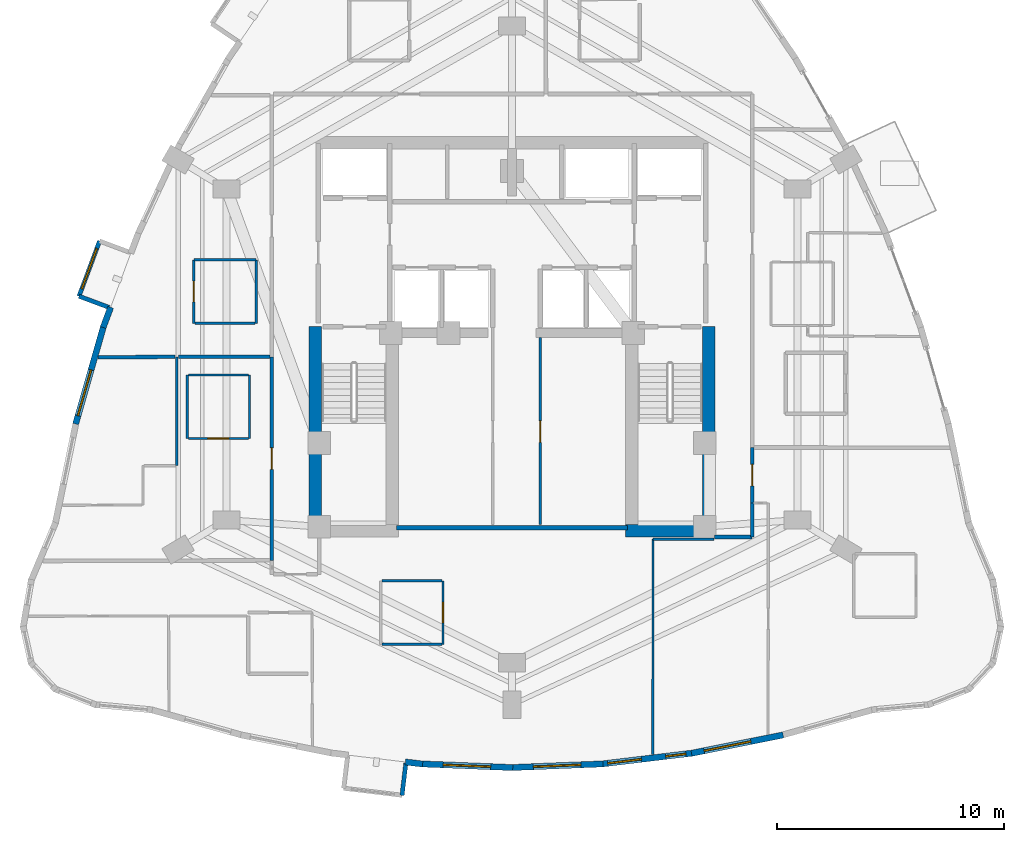
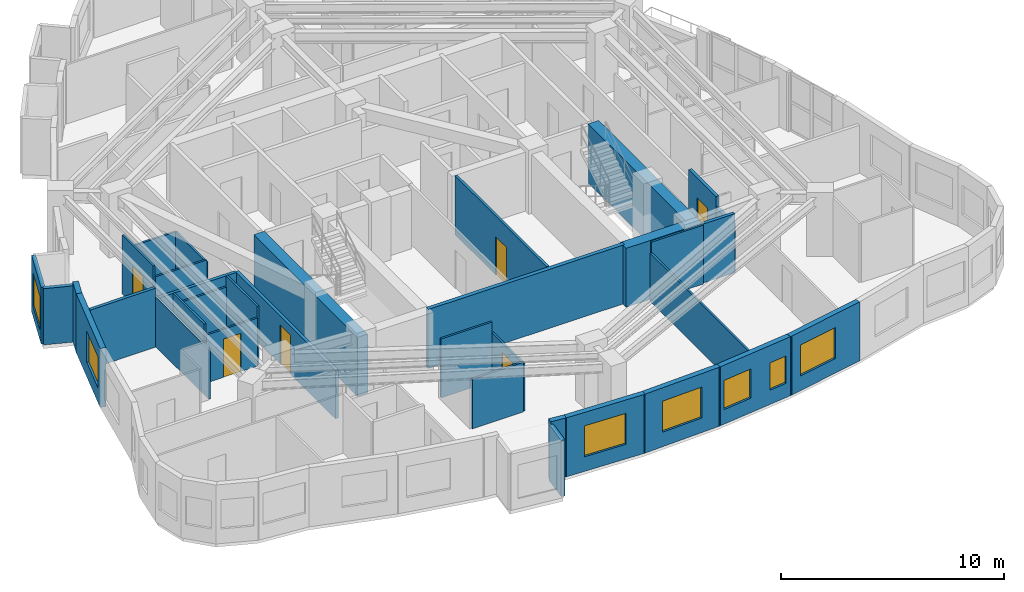
# One storey, part 9 of 14: 35 walls, 7 windows, 6 doors, 13 openings.
"""IFC4 building model written with IfcOpenShell, lengths in metres."""

from ifc_helpers import new_model, si_unit, direction, frame, frame_2d, origin, place, context, subcontext, project, spatial, rectangle, extrude, material, layer, layer_set, type_object, element, fill, save


model = new_model("IFC4")

# Units and contexts
model_context = context("Model", 3, precision=1e-05, world=origin(), true_north=direction((0.0, 1.0)))
body_context = subcontext(model_context, "Body", "Model", "MODEL_VIEW")
ifc_project = project(units=[si_unit("LENGTHUNIT", "METRE"), si_unit("AREAUNIT", "SQUARE_METRE"), si_unit("VOLUMEUNIT", "CUBIC_METRE"), si_unit("PLANEANGLEUNIT", "RADIAN"), si_unit("MASSUNIT", "GRAM", prefix="KILO")], contexts=[model_context])

# Site, building, storey
site_placement = place(None, origin())
site = spatial("IfcSite", under=ifc_project, at=site_placement, CompositionType="ELEMENT")
building_placement = place(site_placement, origin())
building = spatial("IfcBuilding", under=site, at=building_placement, Name="Miruveldt Soraemaru", CompositionType="ELEMENT")
storey_placement = place(building_placement, frame((0.0, 0.0, 142.39990234375)))
storey = spatial("IfcBuildingStorey", under=building, at=storey_placement, Name="L39", CompositionType="ELEMENT", Elevation=142.39990234375)

# Wall
ifc_material_1 = material(Name="White powder-coated aluminium EN AW-6060 T6", Category="aluminium")
ifc_layer_1 = layer(ifc_material_1, 0.18994140625, Name="White powder-coated aluminium EN AW-6060 T6", Category="aluminium")
ifc_layer_set_1 = layer_set([ifc_layer_1], Name="White powder-coated aluminium EN AW-6060 T6")
wall_type_1 = type_object("IfcWallType", Name="WALL-BAY-ALU190", PredefinedType="SOLIDWALL", material=ifc_layer_set_1)
wall_1_placement = place(storey_placement, frame((24.889404296875, 45.67529296875, 0.0), z_axis=(0.0, 0.0, 1.0), x_axis=(0.937129361406, -0.348982177182, 0.0)))
element("IfcWall", 1, at=wall_1_placement, inside=storey, type_object=wall_type_1, Name="L39 Bay Window Side Cheek 1R", PredefinedType="SOLIDWALL", context=body_context, shape_type="SweptSolid", body=[
    extrude(rectangle(XDim=1.425048828125, YDim=0.18994140625, at=frame_2d((0.71240234375, 0.0))), origin(), (0.0, 0.0, 1.0), 3.085205078125),
])

# Wall, opening, window
wall_2_placement = place(storey_placement, frame((25.796875, 48.11181640625, 0.0), z_axis=(0.0, 0.0, 1.0), x_axis=(-0.349023333144, -0.937114034107, 0.0)))
wall_2 = element("IfcWall", 2, at=wall_2_placement, inside=storey, type_object=wall_type_1, Name="L39 Bay Window Front Frame 1", PredefinedType="SOLIDWALL", context=body_context, shape_type="SweptSolid", body=[
    extrude(rectangle(XDim=2.60009765625, YDim=0.18994140625, at=frame_2d((1.300048828125, 0.0))), origin(), (0.0, 0.0, 1.0), 3.085205078125),
])
opening_1_placement = place(wall_2_placement, frame((0.35009765625, 0.0, 0.550048828125)))
opening_1 = element("IfcOpeningElement", 3, at=opening_1_placement, cuts=wall_2, Name="Opening WN-6", PredefinedType="OPENING", context=body_context, shape_type="SweptSolid", body=[
    extrude(rectangle(XDim=1.89990234375, YDim=1.85009765625, at=frame_2d((0.949951171875, 0.925048828125))), frame((0.0, 0.10498046875, 0.0), z_axis=(0.0, -1.0, 0.0), x_axis=(1.0, 0.0, 0.0)), (0.0, 0.0, 1.0), 0.2099609375),
])
ifc_material_2 = material(Name="Triple low-e insulated glazing", Category="glass")
window_type_1 = type_object("IfcWindowType", Name="WIN-BAYW-1900x1850", PartitioningType="SINGLE_PANEL", PredefinedType="WINDOW", material=ifc_material_2)
window_1_placement = place(opening_1_placement, origin())
window_1 = element("IfcWindow", 4, at=window_1_placement, inside=storey, type_object=window_type_1, Name="L39 Projecting Bay Window 1", OverallHeight=1.85009765625, OverallWidth=1.89990234375, PartitioningType="SINGLE_PANEL", PredefinedType="WINDOW", context=body_context, shape_type="SweptSolid", body=[
    extrude(rectangle(XDim=1.89990234375, YDim=1.85009765625, at=frame_2d((0.949951171875, 0.925048828125))), frame((0.0, 0.030029296875, 0.0), z_axis=(0.0, -1.0, 0.0), x_axis=(1.0, 0.0, 0.0)), (0.0, 0.0, 1.0), 0.06005859375),
])
fill(opening_1, window_1)

# Walls
wall_3_placement = place(storey_placement, frame((39.147216796875, 23.64599609375, 0.0), z_axis=(0.0, 0.0, 1.0), x_axis=(0.119077659317, 0.992884943511, 0.0)))
element("IfcWall", 5, at=wall_3_placement, inside=storey, type_object=wall_type_1, Name="L39 Bay Window Side Cheek 2R", PredefinedType="SOLIDWALL", context=body_context, shape_type="SweptSolid", body=[
    extrude(rectangle(XDim=1.425048828125, YDim=0.18994140625, at=frame_2d((0.71240234375, 0.0))), origin(), (0.0, 0.0, 1.0), 3.085205078125),
])
ifc_material_3 = material(Name="Concrete C70/85 (70 MPa)", Category="concrete")
ifc_layer_2 = layer(ifc_material_3, 0.550048828125, Name="Concrete C70/85 (70 MPa)", Category="concrete")
ifc_layer_set_2 = layer_set([ifc_layer_2], Name="Concrete C70/85 (70 MPa)")
wall_type_2 = type_object("IfcWallType", Name="WALL-CW-550", PredefinedType="SHEAR", material=ifc_layer_set_2)
wall_4_placement = place(storey_placement, frame((49.0, 35.324951171875, 0.0), z_axis=(0.0, 0.0, 1.0), x_axis=(1.0, 0.0, 0.0)))
element("IfcWall", 6, at=wall_4_placement, inside=storey, type_object=wall_type_2, Name="L39 Central Core Shear Wall S2", PredefinedType="SHEAR", context=body_context, shape_type="SweptSolid", body=[
    extrude(rectangle(XDim=3.949951171875, YDim=0.550048828125, at=frame_2d((1.97509765625, 0.0))), origin(), (0.0, 0.0, 1.0), 3.235107421875),
])
for number, where, z_axis, x_axis, name in (
    (7, (35.324951171875, 35.050048828125, 0.0), (0.0, 0.0, 1.0), (0.0, 1.0, 0.0), "L39 Central Core Shear Wall W1"),
    (8, (52.675048828125, 35.050048828125, 0.0), (0.0, 0.0, 1.0), (0.0, 1.0, 0.0), "L39 Central Core Shear Wall E1"),
):
    element("IfcWall", number, at=place(storey_placement, frame(where, z_axis=z_axis, x_axis=x_axis)), inside=storey, type_object=wall_type_2, Name=name, PredefinedType="SHEAR", context=body_context, shape_type="SweptSolid", body=[
        extrude(rectangle(XDim=9.300048828125, YDim=0.550048828125, at=frame_2d((4.64990234375, 0.0))), origin(), (0.0, 0.0, 1.0), 3.235107421875),
    ])
ifc_material_4 = material(Name="Precast concrete C45/55 (45 MPa)", Category="concrete")
ifc_layer_3 = layer(ifc_material_4, 0.27001953125, Name="Precast concrete C45/55 (45 MPa)", Category="concrete")
ifc_layer_set_3 = layer_set([ifc_layer_3], Name="Precast concrete C45/55 (45 MPa)")
wall_type_3 = type_object("IfcWallType", Name="WALL-EXT-PC270", PredefinedType="SOLIDWALL", material=ifc_layer_set_3)
wall_5_placement = place(storey_placement, frame((26.286865234375, 45.186767578125, 0.0), z_axis=(0.0, 0.0, 1.0), x_axis=(-0.349069248763, -0.937096931789, 0.0)))
element("IfcWall", 9, at=wall_5_placement, inside=storey, type_object=wall_type_3, Name="L39 Precast Pier Wall 12B", PredefinedType="SOLIDWALL", context=body_context, shape_type="SweptSolid", body=[
    extrude(rectangle(XDim=0.951171875, YDim=0.27001953125, at=frame_2d((0.4755859375, 0.0))), origin(), (0.0, 0.0, 1.0), 3.235107421875),
])

# Wall, opening, window
wall_6_placement = place(storey_placement, frame((25.9765625, 44.362060546875, 0.0), z_axis=(0.0, 0.0, 1.0), x_axis=(-0.274972075565, -0.961452212884, 0.0)))
wall_6 = element("IfcWall", 10, at=wall_6_placement, inside=storey, type_object=wall_type_3, Name="L39 Precast Concrete Facade Wall 13", PredefinedType="SOLIDWALL", context=body_context, shape_type="SweptSolid", body=[
    extrude(rectangle(XDim=4.4970703125, YDim=0.27001953125, at=frame_2d((2.24853515625, 0.0))), origin(), (0.0, 0.0, 1.0), 3.235107421875),
])
opening_2_placement = place(wall_6_placement, frame((2.014892578125, 0.0, 0.800048828125)))
opening_2 = element("IfcOpeningElement", 11, at=opening_2_placement, cuts=wall_6, Name="Opening WN-1", PredefinedType="OPENING", context=body_context, shape_type="SweptSolid", body=[
    extrude(rectangle(XDim=2.10009765625, YDim=1.699951171875, at=frame_2d((1.050048828125, 0.85009765625))), frame((0.0, 0.14501953125, 0.0), z_axis=(0.0, -1.0, 0.0), x_axis=(1.0, 0.0, 0.0)), (0.0, 0.0, 1.0), 0.2900390625),
])
window_type_2 = type_object("IfcWindowType", Name="WIN-PUNCH-2100x1700", PartitioningType="SINGLE_PANEL", PredefinedType="WINDOW", material=ifc_material_2)
window_2_placement = place(opening_2_placement, origin())
window_2 = element("IfcWindow", 12, at=window_2_placement, inside=storey, type_object=window_type_2, Name="L39 Punched Triple-Glazed Window 13.1", OverallHeight=1.699951171875, OverallWidth=2.10009765625, PartitioningType="SINGLE_PANEL", PredefinedType="WINDOW", context=body_context, shape_type="SweptSolid", body=[
    extrude(rectangle(XDim=2.10009765625, YDim=1.699951171875, at=frame_2d((1.050048828125, 0.85009765625))), frame((0.0, 0.030029296875, 0.0), z_axis=(0.0, -1.0, 0.0), x_axis=(1.0, 0.0, 0.0)), (0.0, 0.0, 1.0), 0.06005859375),
])
fill(opening_2, window_2)

# Wall
wall_7_placement = place(storey_placement, frame((39.293701171875, 25.119140625, 0.0), z_axis=(0.0, 0.0, 1.0), x_axis=(0.992876838487, -0.119145220618, 0.0)))
element("IfcWall", 13, at=wall_7_placement, inside=storey, type_object=wall_type_3, Name="L39 Precast Pier Wall 23B", PredefinedType="SOLIDWALL", context=body_context, shape_type="SweptSolid", body=[
    extrude(rectangle(XDim=0.768310546875, YDim=0.27001953125, at=frame_2d((0.38427734375, 0.0))), origin(), (0.0, 0.0, 1.0), 3.235107421875),
])

# Wall, opening, window
wall_8_placement = place(storey_placement, frame((39.98681640625, 25.033203125, 0.0), z_axis=(0.0, 0.0, 1.0), x_axis=(0.999199128647, -0.040013764032, 0.0)))
wall_8 = element("IfcWall", 14, at=wall_8_placement, inside=storey, type_object=wall_type_3, Name="L39 Precast Concrete Facade Wall 24", PredefinedType="SOLIDWALL", context=body_context, shape_type="SweptSolid", body=[
    extrude(rectangle(XDim=4.05126953125, YDim=0.27001953125, at=frame_2d((2.025634765625, 0.0))), origin(), (0.0, 0.0, 1.0), 3.235107421875),
])
opening_3_placement = place(wall_8_placement, frame((0.97607421875, 0.0, 0.800048828125)))
opening_3 = element("IfcOpeningElement", 15, at=opening_3_placement, cuts=wall_8, Name="Opening WN-1", PredefinedType="OPENING", context=body_context, shape_type="SweptSolid", body=[
    extrude(rectangle(XDim=2.10009765625, YDim=1.699951171875, at=frame_2d((1.050048828125, 0.85009765625))), frame((0.0, 0.14501953125, 0.0), z_axis=(0.0, -1.0, 0.0), x_axis=(1.0, 0.0, 0.0)), (0.0, 0.0, 1.0), 0.2900390625),
])
window_3_placement = place(opening_3_placement, origin())
window_3 = element("IfcWindow", 16, at=window_3_placement, inside=storey, type_object=window_type_2, Name="L39 Punched Triple-Glazed Window 24.1", OverallHeight=1.699951171875, OverallWidth=2.10009765625, PartitioningType="SINGLE_PANEL", PredefinedType="WINDOW", context=body_context, shape_type="SweptSolid", body=[
    extrude(rectangle(XDim=2.10009765625, YDim=1.699951171875, at=frame_2d((1.050048828125, 0.85009765625))), frame((0.0, 0.030029296875, 0.0), z_axis=(0.0, -1.0, 0.0), x_axis=(1.0, 0.0, 0.0)), (0.0, 0.0, 1.0), 0.06005859375),
])
fill(opening_3, window_3)

wall_9_placement = place(storey_placement, frame((43.965087890625, 24.87109375, 0.0), z_axis=(0.0, 0.0, 1.0), x_axis=(0.999199128647, 0.040013764032, 0.0)))
wall_9 = element("IfcWall", 17, at=wall_9_placement, inside=storey, type_object=wall_type_3, Name="L39 Precast Concrete Facade Wall 25", PredefinedType="SOLIDWALL", context=body_context, shape_type="SweptSolid", body=[
    extrude(rectangle(XDim=4.05126953125, YDim=0.27001953125, at=frame_2d((2.025634765625, 0.0))), origin(), (0.0, 0.0, 1.0), 3.235107421875),
])
opening_4_placement = place(wall_9_placement, frame((0.97607421875, 0.0, 0.800048828125)))
opening_4 = element("IfcOpeningElement", 18, at=opening_4_placement, cuts=wall_9, Name="Opening WN-1", PredefinedType="OPENING", context=body_context, shape_type="SweptSolid", body=[
    extrude(rectangle(XDim=2.10009765625, YDim=1.699951171875, at=frame_2d((1.050048828125, 0.85009765625))), frame((0.0, 0.14501953125, 0.0), z_axis=(0.0, -1.0, 0.0), x_axis=(1.0, 0.0, 0.0)), (0.0, 0.0, 1.0), 0.2900390625),
])
window_4_placement = place(opening_4_placement, origin())
window_4 = element("IfcWindow", 19, at=window_4_placement, inside=storey, type_object=window_type_2, Name="L39 Punched Triple-Glazed Window 25.1", OverallHeight=1.699951171875, OverallWidth=2.10009765625, PartitioningType="SINGLE_PANEL", PredefinedType="WINDOW", context=body_context, shape_type="SweptSolid", body=[
    extrude(rectangle(XDim=2.10009765625, YDim=1.699951171875, at=frame_2d((1.050048828125, 0.85009765625))), frame((0.0, 0.030029296875, 0.0), z_axis=(0.0, -1.0, 0.0), x_axis=(1.0, 0.0, 0.0)), (0.0, 0.0, 1.0), 0.06005859375),
])
fill(opening_4, window_4)

# Wall, openings, windows
wall_10_placement = place(storey_placement, frame((47.943359375, 25.027587890625, 0.0), z_axis=(0.0, 0.0, 1.0), x_axis=(0.992880238653, 0.119116882483, 0.0)))
wall_10 = element("IfcWall", 20, at=wall_10_placement, inside=storey, type_object=wall_type_3, Name="L39 Precast Concrete Facade Wall 26", PredefinedType="SOLIDWALL", context=body_context, shape_type="SweptSolid", body=[
    extrude(rectangle(XDim=4.07666015625, YDim=0.27001953125, at=frame_2d((2.038330078125, 0.0))), origin(), (0.0, 0.0, 1.0), 3.235107421875),
])
opening_5_placement = place(wall_10_placement, frame((0.282958984375, 0.0, 0.800048828125)))
opening_5 = element("IfcOpeningElement", 21, at=opening_5_placement, cuts=wall_10, Name="Opening WN-3", PredefinedType="OPENING", context=body_context, shape_type="SweptSolid", body=[
    extrude(rectangle(XDim=1.5, YDim=1.60009765625, at=frame_2d((0.75, 0.800048828125))), frame((0.0, 0.14501953125, 0.0), z_axis=(0.0, -1.0, 0.0), x_axis=(1.0, 0.0, 0.0)), (0.0, 0.0, 1.0), 0.2900390625),
])
opening_6_placement = place(wall_10_placement, frame((2.861083984375, 0.0, 0.780029296875)))
opening_6 = element("IfcOpeningElement", 22, at=opening_6_placement, cuts=wall_10, Name="Opening WN-7", PredefinedType="OPENING", context=body_context, shape_type="SweptSolid", body=[
    extrude(rectangle(XDim=0.89990234375, YDim=1.5, at=frame_2d((0.449951171875, 0.75))), frame((0.0, 0.14501953125, 0.0), z_axis=(0.0, -1.0, 0.0), x_axis=(1.0, 0.0, 0.0)), (0.0, 0.0, 1.0), 0.2900390625),
])
window_type_3 = type_object("IfcWindowType", Name="WIN-PUNCH-1500x1600", PartitioningType="SINGLE_PANEL", PredefinedType="WINDOW", material=ifc_material_2)
window_5_placement = place(opening_5_placement, origin())
window_5 = element("IfcWindow", 23, at=window_5_placement, inside=storey, type_object=window_type_3, Name="L39 Punched Triple-Glazed Window 26.1", OverallHeight=1.60009765625, OverallWidth=1.5, PartitioningType="SINGLE_PANEL", PredefinedType="WINDOW", context=body_context, shape_type="SweptSolid", body=[
    extrude(rectangle(XDim=1.5, YDim=1.60009765625, at=frame_2d((0.75, 0.800048828125))), frame((0.0, 0.030029296875, 0.0), z_axis=(0.0, -1.0, 0.0), x_axis=(1.0, 0.0, 0.0)), (0.0, 0.0, 1.0), 0.06005859375),
])
fill(opening_5, window_5)
window_type_4 = type_object("IfcWindowType", Name="WIN-PUNCH-900x1500", PartitioningType="SINGLE_PANEL", PredefinedType="WINDOW", material=ifc_material_2)
window_6_placement = place(opening_6_placement, origin())
window_6 = element("IfcWindow", 24, at=window_6_placement, inside=storey, type_object=window_type_4, Name="L39 Punched Triple-Glazed Window 26.2", OverallHeight=1.5, OverallWidth=0.89990234375, PartitioningType="SINGLE_PANEL", PredefinedType="WINDOW", context=body_context, shape_type="SweptSolid", body=[
    extrude(rectangle(XDim=0.89990234375, YDim=1.5, at=frame_2d((0.449951171875, 0.75))), frame((0.0, 0.030029296875, 0.0), z_axis=(0.0, -1.0, 0.0), x_axis=(1.0, 0.0, 0.0)), (0.0, 0.0, 1.0), 0.06005859375),
])
fill(opening_6, window_6)

# Wall, opening, window
wall_11_placement = place(storey_placement, frame((51.921875, 25.502197265625, 0.0), z_axis=(0.0, 0.0, 1.0), x_axis=(0.980582950886, 0.196104758819, 0.0)))
wall_11 = element("IfcWall", 25, at=wall_11_placement, inside=storey, type_object=wall_type_3, Name="L39 Precast Concrete Facade Wall 27", PredefinedType="SOLIDWALL", context=body_context, shape_type="SweptSolid", body=[
    extrude(rectangle(XDim=4.126953125, YDim=0.27001953125, at=frame_2d((2.0634765625, 0.0))), origin(), (0.0, 0.0, 1.0), 3.235107421875),
])
opening_7_placement = place(wall_11_placement, frame((0.56689453125, 0.0, 0.800048828125)))
opening_7 = element("IfcOpeningElement", 26, at=opening_7_placement, cuts=wall_11, Name="Opening WN-1", PredefinedType="OPENING", context=body_context, shape_type="SweptSolid", body=[
    extrude(rectangle(XDim=2.10009765625, YDim=1.699951171875, at=frame_2d((1.050048828125, 0.85009765625))), frame((0.0, 0.14501953125, 0.0), z_axis=(0.0, -1.0, 0.0), x_axis=(1.0, 0.0, 0.0)), (0.0, 0.0, 1.0), 0.2900390625),
])
window_7_placement = place(opening_7_placement, origin())
window_7 = element("IfcWindow", 27, at=window_7_placement, inside=storey, type_object=window_type_2, Name="L39 Punched Triple-Glazed Window 27.1", OverallHeight=1.699951171875, OverallWidth=2.10009765625, PartitioningType="SINGLE_PANEL", PredefinedType="WINDOW", context=body_context, shape_type="SweptSolid", body=[
    extrude(rectangle(XDim=2.10009765625, YDim=1.699951171875, at=frame_2d((1.050048828125, 0.85009765625))), frame((0.0, 0.030029296875, 0.0), z_axis=(0.0, -1.0, 0.0), x_axis=(1.0, 0.0, 0.0)), (0.0, 0.0, 1.0), 0.06005859375),
])
fill(opening_7, window_7)

# Wall, opening, door
ifc_material_5 = material(Name="Gypsum plasterboard lining", Category="gypsum")
ifc_layer_4 = layer(ifc_material_5, 0.10009765625, Name="Gypsum plasterboard lining", Category="gypsum")
ifc_layer_set_4 = layer_set([ifc_layer_4], Name="Gypsum plasterboard lining")
wall_type_4 = type_object("IfcWallType", Name="WALL-INT-P100", PredefinedType="PARTITIONING", material=ifc_layer_set_4)
wall_12_placement = place(storey_placement, frame((40.955078125, 30.31494140625, 0.0), z_axis=(0.0, 0.0, 1.0), x_axis=(0.0, 1.0, 0.0)))
wall_12 = element("IfcWall", 28, at=wall_12_placement, inside=storey, type_object=wall_type_4, Name="L39 Partition Wall 40", PredefinedType="PARTITIONING", context=body_context, shape_type="SweptSolid", body=[
    extrude(rectangle(XDim=2.800048828125, YDim=0.10009765625, at=frame_2d((1.39990234375, 0.0))), origin(), (0.0, 0.0, 1.0), 2.635009765625),
])
opening_8_placement = place(wall_12_placement, frame((0.93994140625, 0.0, 0.0)))
opening_8 = element("IfcOpeningElement", 29, at=opening_8_placement, cuts=wall_12, Name="Opening D3A", PredefinedType="OPENING", context=body_context, shape_type="SweptSolid", body=[
    extrude(rectangle(XDim=0.919921875, YDim=2.10009765625, at=frame_2d((0.4599609375, 1.050048828125))), frame((0.0, 0.06005859375, 0.0), z_axis=(0.0, -1.0, 0.0), x_axis=(1.0, 0.0, 0.0)), (0.0, 0.0, 1.0), 0.1201171875),
])
ifc_material_6 = material(Name="Anodised aluminium EN AW-6063 T6", Category="aluminium")
door_type_1 = type_object("IfcDoorType", Name="DOOR-INT-920", OperationType="NOTDEFINED", PredefinedType="DOOR", material=ifc_material_6)
door_1_placement = place(opening_8_placement, origin())
door_1 = element("IfcDoor", 30, at=door_1_placement, inside=storey, type_object=door_type_1, Name="L39 Unit 3904 KIT Door", OperationType="SINGLE_SWING_LEFT", OverallHeight=2.10009765625, OverallWidth=0.919921875, PredefinedType="DOOR", context=body_context, shape_type="SweptSolid", body=[
    extrude(rectangle(XDim=0.919921875, YDim=2.10009765625, at=frame_2d((0.4599609375, 1.050048828125))), frame((0.0, 0.02490234375, 0.0), z_axis=(0.0, -1.0, 0.0), x_axis=(1.0, 0.0, 0.0)), (0.0, 0.0, 1.0), 0.050048828125),
])
fill(opening_8, door_1)

wall_13_placement = place(storey_placement, frame((29.9599609375, 47.281005859375, 0.0), z_axis=(0.0, 0.0, 1.0), x_axis=(0.0, -1.0, 0.0)))
wall_13 = element("IfcWall", 31, at=wall_13_placement, inside=storey, type_object=wall_type_4, Name="L39 Partition Wall 35", PredefinedType="PARTITIONING", context=body_context, shape_type="SweptSolid", body=[
    extrude(rectangle(XDim=2.800048828125, YDim=0.10009765625, at=frame_2d((1.39990234375, 0.0))), origin(), (0.0, 0.0, 1.0), 3.235107421875),
])
opening_9_placement = place(wall_13_placement, frame((0.93994140625, 0.0, 0.0)))
opening_9 = element("IfcOpeningElement", 32, at=opening_9_placement, cuts=wall_13, Name="Opening D3A", PredefinedType="OPENING", context=body_context, shape_type="SweptSolid", body=[
    extrude(rectangle(XDim=0.919921875, YDim=2.10009765625, at=frame_2d((0.4599609375, 1.050048828125))), frame((0.0, 0.06005859375, 0.0), z_axis=(0.0, -1.0, 0.0), x_axis=(1.0, 0.0, 0.0)), (0.0, 0.0, 1.0), 0.1201171875),
])
door_2_placement = place(opening_9_placement, origin())
door_2 = element("IfcDoor", 33, at=door_2_placement, inside=storey, type_object=door_type_1, Name="L39 Unit CL03 KIT Door", OperationType="SINGLE_SWING_RIGHT", OverallHeight=2.10009765625, OverallWidth=0.919921875, PredefinedType="DOOR", context=body_context, shape_type="SweptSolid", body=[
    extrude(rectangle(XDim=0.919921875, YDim=2.10009765625, at=frame_2d((0.4599609375, 1.050048828125))), frame((0.0, 0.02490234375, 0.0), z_axis=(0.0, -1.0, 0.0), x_axis=(1.0, 0.0, 0.0)), (0.0, 0.0, 1.0), 0.050048828125),
])
fill(opening_9, door_2)

wall_14_placement = place(storey_placement, frame((29.714111328125, 39.39599609375, 0.0), z_axis=(0.0, 0.0, 1.0), x_axis=(1.0, 0.0, 0.0)))
wall_14 = element("IfcWall", 34, at=wall_14_placement, inside=storey, type_object=wall_type_4, Name="L39 Partition Wall 54", PredefinedType="PARTITIONING", context=body_context, shape_type="SweptSolid", body=[
    extrude(rectangle(XDim=2.64990234375, YDim=0.10009765625, at=frame_2d((1.324951171875, 0.0))), origin(), (0.0, 0.0, 1.0), 2.635009765625),
])
opening_10_placement = place(wall_14_placement, frame((0.864990234375, 0.0, 0.0)))
opening_10 = element("IfcOpeningElement", 35, at=opening_10_placement, cuts=wall_14, Name="Opening D3A", PredefinedType="OPENING", context=body_context, shape_type="SweptSolid", body=[
    extrude(rectangle(XDim=0.919921875, YDim=2.10009765625, at=frame_2d((0.4599609375, 1.050048828125))), frame((0.0, 0.06005859375, 0.0), z_axis=(0.0, -1.0, 0.0), x_axis=(1.0, 0.0, 0.0)), (0.0, 0.0, 1.0), 0.1201171875),
])
door_3_placement = place(opening_10_placement, origin())
door_3 = element("IfcDoor", 36, at=door_3_placement, inside=storey, type_object=door_type_1, Name="L39 Unit 3905 KIT Door", OperationType="SINGLE_SWING_LEFT", OverallHeight=2.10009765625, OverallWidth=0.919921875, PredefinedType="DOOR", context=body_context, shape_type="SweptSolid", body=[
    extrude(rectangle(XDim=0.919921875, YDim=2.10009765625, at=frame_2d((0.4599609375, 1.050048828125))), frame((0.0, 0.02490234375, 0.0), z_axis=(0.0, -1.0, 0.0), x_axis=(1.0, 0.0, 0.0)), (0.0, 0.0, 1.0), 0.050048828125),
])
fill(opening_10, door_3)

# Walls
wall_15_placement = place(storey_placement, frame((50.215087890625, 25.450927734375, 0.0), z_axis=(0.0, 0.0, 1.0), x_axis=(0.000822452688, 0.999999661786, 0.0)))
element("IfcWall", 37, at=wall_15_placement, inside=storey, type_object=wall_type_4, Name="L39 Partition Wall 82", PredefinedType="PARTITIONING", context=body_context, shape_type="SweptSolid", body=[
    extrude(rectangle(XDim=9.4990234375, YDim=0.10009765625, at=frame_2d((4.74951171875, 0.0))), origin(), (0.0, 0.0, 1.0), 2.635009765625),
])
wall_16_placement = place(storey_placement, frame((29.199951171875, 43.0, 0.0), z_axis=(0.0, 0.0, 1.0), x_axis=(0.0, -1.0, 0.0)))
element("IfcWall", 38, at=wall_16_placement, inside=storey, type_object=wall_type_4, Name="L39 Partition Wall 55", PredefinedType="PARTITIONING", context=body_context, shape_type="SweptSolid", body=[
    extrude(rectangle(XDim=4.803955078125, YDim=0.10009765625, at=frame_2d((2.40185546875, 0.0))), origin(), (0.0, 0.0, 1.0), 2.72314453125),
])
wall_17_placement = place(storey_placement, frame((32.7099609375, 44.48095703125, 0.0), z_axis=(0.0, 0.0, 1.0), x_axis=(0.0, 1.0, 0.0)))
element("IfcWall", 39, at=wall_17_placement, inside=storey, type_object=wall_type_4, Name="L39 Partition Wall 34", PredefinedType="PARTITIONING", context=body_context, shape_type="SweptSolid", body=[
    extrude(rectangle(XDim=2.800048828125, YDim=0.10009765625, at=frame_2d((1.39990234375, 0.0))), origin(), (0.0, 0.0, 1.0), 2.47314453125),
])
for number, where, z_axis, x_axis, name in (
    (40, (32.4140625, 39.39599609375, 0.0), (0.0, 0.0, 1.0), (0.0, 1.0, 0.0), "L39 Partition Wall 51"),
    (41, (29.6640625, 42.196044921875, 0.0), (0.0, 0.0, 1.0), (0.0, -1.0, 0.0), "L39 Partition Wall 53"),
):
    element("IfcWall", number, at=place(storey_placement, frame(where, z_axis=z_axis, x_axis=x_axis)), inside=storey, type_object=wall_type_4, Name=name, PredefinedType="PARTITIONING", context=body_context, shape_type="SweptSolid", body=[
        extrude(rectangle(XDim=2.800048828125, YDim=0.10009765625, at=frame_2d((1.39990234375, 0.0))), origin(), (0.0, 0.0, 1.0), 3.235107421875),
    ])
wall_18_placement = place(storey_placement, frame((32.7099609375, 47.281005859375, 0.0), z_axis=(0.0, 0.0, 1.0), x_axis=(-1.0, 0.0, 0.0)))
element("IfcWall", 42, at=wall_18_placement, inside=storey, type_object=wall_type_4, Name="L39 Partition Wall 81", PredefinedType="PARTITIONING", context=body_context, shape_type="SweptSolid", body=[
    extrude(rectangle(XDim=2.75, YDim=0.10009765625, at=frame_2d((1.375, 0.0))), origin(), (0.0, 0.0, 1.0), 2.47314453125),
])
wall_19_placement = place(storey_placement, frame((50.222900390625, 34.949951171875, 0.0), z_axis=(0.0, 0.0, 1.0), x_axis=(1.0, 0.0, 0.0)))
element("IfcWall", 43, at=wall_19_placement, inside=storey, type_object=wall_type_4, Name="L39 Partition Wall 83", PredefinedType="PARTITIONING", context=body_context, shape_type="SweptSolid", body=[
    extrude(rectangle(XDim=2.693115234375, YDim=0.10009765625, at=frame_2d((1.3466796875, 0.0))), origin(), (0.0, 0.0, 1.0), 3.235107421875),
])
wall_20_placement = place(storey_placement, frame((40.905029296875, 33.114990234375, 0.0), z_axis=(0.0, 0.0, 1.0), x_axis=(-1.0, 0.0, 0.0)))
element("IfcWall", 44, at=wall_20_placement, inside=storey, type_object=wall_type_4, Name="L39 Partition Wall 41", PredefinedType="PARTITIONING", context=body_context, shape_type="SweptSolid", body=[
    extrude(rectangle(XDim=2.650146484375, YDim=0.10009765625, at=frame_2d((1.3251953125, 0.0))), origin(), (0.0, 0.0, 1.0), 3.235107421875),
])
wall_21_placement = place(storey_placement, frame((38.2548828125, 30.31494140625, 0.0), z_axis=(0.0, 0.0, 1.0), x_axis=(1.0, 0.0, 0.0)))
element("IfcWall", 45, at=wall_21_placement, inside=storey, type_object=wall_type_4, Name="L39 Partition Wall 43", PredefinedType="PARTITIONING", context=body_context, shape_type="SweptSolid", body=[
    extrude(rectangle(XDim=2.650146484375, YDim=0.10009765625, at=frame_2d((1.3251953125, 0.0))), origin(), (0.0, 0.0, 1.0), 2.72314453125),
])
for number, where, z_axis, x_axis, name in (
    (46, (32.364013671875, 42.196044921875, 0.0), (0.0, 0.0, 1.0), (-1.0, 0.0, 0.0), "L39 Partition Wall 52"),
    (47, (30.010009765625, 44.48095703125, 0.0), (0.0, 0.0, 1.0), (1.0, 0.0, 0.0), "L39 Partition Wall 36"),
):
    element("IfcWall", number, at=place(storey_placement, frame(where, z_axis=z_axis, x_axis=x_axis)), inside=storey, type_object=wall_type_4, Name=name, PredefinedType="PARTITIONING", context=body_context, shape_type="SweptSolid", body=[
        extrude(rectangle(XDim=2.64990234375, YDim=0.10009765625, at=frame_2d((1.324951171875, 0.0))), origin(), (0.0, 0.0, 1.0), 2.635009765625),
    ])

# Wall, opening, door
ifc_layer_5 = layer(ifc_material_5, 0.1201171875, Name="Gypsum plasterboard lining", Category="gypsum")
ifc_layer_set_5 = layer_set([ifc_layer_5], Name="Gypsum plasterboard lining")
wall_type_5 = type_object("IfcWallType", Name="WALL-INT-P120", PredefinedType="PARTITIONING", material=ifc_layer_set_5)
wall_22_placement = place(storey_placement, frame((45.25, 35.60009765625, 0.0), z_axis=(0.0, 0.0, 1.0), x_axis=(0.0, 1.0, 0.0)))
wall_22 = element("IfcWall", 48, at=wall_22_placement, inside=storey, type_object=wall_type_5, Name="L39 Core Compartment Wall SP-EL", PredefinedType="PARTITIONING", context=body_context, shape_type="SweptSolid", body=[
    extrude(rectangle(XDim=8.25, YDim=0.1201171875, at=frame_2d((4.125, 0.0))), origin(), (0.0, 0.0, 1.0), 3.235107421875),
])
opening_11_placement = place(wall_22_placement, frame((3.625, 0.0, 0.0)))
opening_11 = element("IfcOpeningElement", 49, at=opening_11_placement, cuts=wall_22, Name="Opening D2", PredefinedType="OPENING", context=body_context, shape_type="SweptSolid", body=[
    extrude(rectangle(XDim=0.949951171875, YDim=2.10009765625, at=frame_2d((0.47509765625, 1.050048828125))), frame((0.0, 0.070068359375, 0.0), z_axis=(0.0, -1.0, 0.0), x_axis=(1.0, 0.0, 0.0)), (0.0, 0.0, 1.0), 0.14013671875),
])
door_type_2 = type_object("IfcDoorType", Name="DOOR-INT-950", OperationType="NOTDEFINED", PredefinedType="DOOR", material=ifc_material_6)
door_4_placement = place(opening_11_placement, origin())
door_4 = element("IfcDoor", 50, at=door_4_placement, inside=storey, type_object=door_type_2, Name="L39 Fire Door", OperationType="SINGLE_SWING_LEFT", OverallHeight=2.10009765625, OverallWidth=0.949951171875, PredefinedType="DOOR", context=body_context, shape_type="SweptSolid", body=[
    extrude(rectangle(XDim=0.949951171875, YDim=2.10009765625, at=frame_2d((0.47509765625, 1.050048828125))), frame((0.0, 0.02490234375, 0.0), z_axis=(0.0, -1.0, 0.0), x_axis=(1.0, 0.0, 0.0)), (0.0, 0.0, 1.0), 0.050048828125),
])
fill(opening_11, door_4)

ifc_material_7 = material(Name="Concrete C40/50 (40 MPa)", Category="concrete")
ifc_layer_6 = layer(ifc_material_7, 0.159912109375, Name="Concrete C40/50 (40 MPa)", Category="concrete")
ifc_layer_set_6 = layer_set([ifc_layer_6], Name="Concrete C40/50 (40 MPa)")
wall_type_6 = type_object("IfcWallType", Name="WALL-INT-RC160", PredefinedType="SOLIDWALL", material=ifc_layer_set_6)
wall_23_placement = place(storey_placement, frame((33.39990234375, 42.9970703125, 0.0), z_axis=(0.0, 0.0, 1.0), x_axis=(0.0, -1.0, 0.0)))
wall_23 = element("IfcWall", 51, at=wall_23_placement, inside=storey, type_object=wall_type_6, Name="L39 Partition Wall 8", PredefinedType="SOLIDWALL", context=body_context, shape_type="SweptSolid", body=[
    extrude(rectangle(XDim=8.97802734375, YDim=0.159912109375, at=frame_2d((4.489013671875, 0.0))), origin(), (0.0, 0.0, 1.0), 2.635009765625),
])
opening_12_placement = place(wall_23_placement, frame((4.013916015625, 0.0, 0.0)))
opening_12 = element("IfcOpeningElement", 52, at=opening_12_placement, cuts=wall_23, Name="Opening FD2", PredefinedType="OPENING", context=body_context, shape_type="SweptSolid", body=[
    extrude(rectangle(XDim=0.949951171875, YDim=2.14990234375, at=frame_2d((0.47509765625, 1.074951171875))), frame((0.0, 0.08984375, 0.0), z_axis=(0.0, -1.0, 0.0), x_axis=(1.0, 0.0, 0.0)), (0.0, 0.0, 1.0), 0.179931640625),
])
door_type_3 = type_object("IfcDoorType", Name="DOOR-FD2-950", OperationType="NOTDEFINED", PredefinedType="DOOR", material=ifc_material_6)
door_5_placement = place(opening_12_placement, origin())
door_5 = element("IfcDoor", 53, at=door_5_placement, inside=storey, type_object=door_type_3, Name="L39 Unit 3905 Entrance Fire Door", OperationType="SINGLE_SWING_RIGHT", OverallHeight=2.14990234375, OverallWidth=0.949951171875, PredefinedType="DOOR", context=body_context, shape_type="SweptSolid", body=[
    extrude(rectangle(XDim=0.949951171875, YDim=2.14990234375, at=frame_2d((0.47509765625, 1.074951171875))), frame((0.0, 0.02490234375, 0.0), z_axis=(0.0, -1.0, 0.0), x_axis=(1.0, 0.0, 0.0)), (0.0, 0.0, 1.0), 0.050048828125),
])
fill(opening_12, door_5)

wall_24_placement = place(storey_placement, frame((54.60009765625, 36.553955078125, 0.0), z_axis=(0.0, 0.0, 1.0), x_axis=(0.0, 1.0, 0.0)))
wall_24 = element("IfcWall", 54, at=wall_24_placement, inside=storey, type_object=wall_type_6, Name="L39 Partition Wall 9", PredefinedType="SOLIDWALL", context=body_context, shape_type="SweptSolid", body=[
    extrude(rectangle(XDim=2.444091796875, YDim=0.159912109375, at=frame_2d((1.22216796875, 0.0))), origin(), (0.0, 0.0, 1.0), 3.235107421875),
])
opening_13_placement = place(wall_24_placement, frame((0.7470703125, 0.0, 0.0)))
opening_13 = element("IfcOpeningElement", 55, at=opening_13_placement, cuts=wall_24, Name="Opening FD2", PredefinedType="OPENING", context=body_context, shape_type="SweptSolid", body=[
    extrude(rectangle(XDim=0.949951171875, YDim=2.14990234375, at=frame_2d((0.47509765625, 1.074951171875))), frame((0.0, 0.08984375, 0.0), z_axis=(0.0, -1.0, 0.0), x_axis=(1.0, 0.0, 0.0)), (0.0, 0.0, 1.0), 0.179931640625),
])
door_6_placement = place(opening_13_placement, origin())
door_6 = element("IfcDoor", 56, at=door_6_placement, inside=storey, type_object=door_type_3, Name="L39 Unit 3906 Entrance Fire Door", OperationType="SINGLE_SWING_LEFT", OverallHeight=2.14990234375, OverallWidth=0.949951171875, PredefinedType="DOOR", context=body_context, shape_type="SweptSolid", body=[
    extrude(rectangle(XDim=0.949951171875, YDim=2.14990234375, at=frame_2d((0.47509765625, 1.074951171875))), frame((0.0, 0.02490234375, 0.0), z_axis=(0.0, -1.0, 0.0), x_axis=(1.0, 0.0, 0.0)), (0.0, 0.0, 1.0), 0.050048828125),
])
fill(opening_13, door_6)

# Walls
wall_25_placement = place(storey_placement, frame((29.282958984375, 43.0, 0.0), z_axis=(0.0, 0.0, 1.0), x_axis=(1.0, 0.0, 0.0)))
element("IfcWall", 57, at=wall_25_placement, inside=storey, type_object=wall_type_6, Name="L39 Partition Wall 37", PredefinedType="SOLIDWALL", context=body_context, shape_type="SweptSolid", body=[
    extrude(rectangle(XDim=4.033935546875, YDim=0.159912109375, at=frame_2d((2.01708984375, 0.0))), origin(), (0.0, 0.0, 1.0), 2.635009765625),
])
wall_26_placement = place(storey_placement, frame((25.738037109375, 42.98095703125, 0.0), z_axis=(0.0, 0.0, 1.0), x_axis=(0.999984148834, 0.005630460089, 0.0)))
element("IfcWall", 58, at=wall_26_placement, inside=storey, type_object=wall_type_6, Name="L39 Partition Wall 38", PredefinedType="SOLIDWALL", context=body_context, shape_type="SweptSolid", body=[
    extrude(rectangle(XDim=3.382080078125, YDim=0.159912109375, at=frame_2d((1.69091796875, 0.0))), origin(), (0.0, 0.0, 1.0), 3.235107421875),
])
wall_27_placement = place(storey_placement, frame((52.946044921875, 35.050048828125, 0.0), z_axis=(0.0, 0.0, 1.0), x_axis=(1.0, 0.0, 0.0)))
element("IfcWall", 59, at=wall_27_placement, inside=storey, type_object=wall_type_6, Name="L39 Partition Wall 10", PredefinedType="SOLIDWALL", context=body_context, shape_type="SweptSolid", body=[
    extrude(rectangle(XDim=1.654052734375, YDim=0.159912109375, at=frame_2d((0.8271484375, 0.0))), origin(), (0.0, 0.0, 1.0), 3.235107421875),
])
wall_28_placement = place(storey_placement, frame((54.60009765625, 35.050048828125, 0.0), z_axis=(0.0, 0.0, 1.0), x_axis=(0.0, 1.0, 0.0)))
element("IfcWall", 60, at=wall_28_placement, inside=storey, type_object=wall_type_6, Name="L39 Partition Wall 11", PredefinedType="SOLIDWALL", context=body_context, shape_type="SweptSolid", body=[
    extrude(rectangle(XDim=1.5009765625, YDim=0.159912109375, at=frame_2d((0.75048828125, 0.0))), origin(), (0.0, 0.0, 1.0), 2.635009765625),
])
ifc_layer_7 = layer(ifc_material_7, 0.199951171875, Name="Concrete C40/50 (40 MPa)", Category="concrete")
ifc_layer_set_7 = layer_set([ifc_layer_7], Name="Concrete C40/50 (40 MPa)")
wall_type_7 = type_object("IfcWallType", Name="WALL-INT-RC200", PredefinedType="SOLIDWALL", material=ifc_layer_set_7)
wall_29_placement = place(storey_placement, frame((38.89990234375, 35.449951171875, 0.0), z_axis=(0.0, 0.0, 1.0), x_axis=(1.0, 0.0, 0.0)))
element("IfcWall", 61, at=wall_29_placement, inside=storey, type_object=wall_type_7, Name="L39 Core Compartment Wall CS-S", PredefinedType="SOLIDWALL", context=body_context, shape_type="SweptSolid", body=[
    extrude(rectangle(XDim=10.2001953125, YDim=0.199951171875, at=frame_2d((5.10009765625, 0.0))), origin(), (0.0, 0.0, 1.0), 3.235107421875),
])

save(model, "model.ifc")
